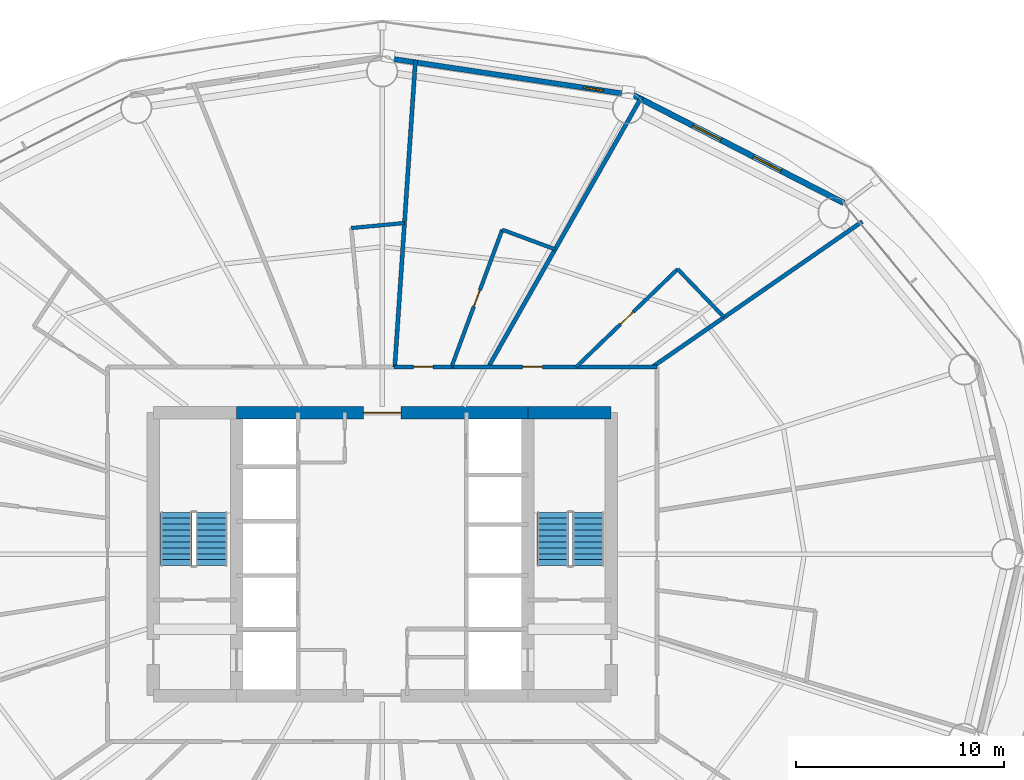
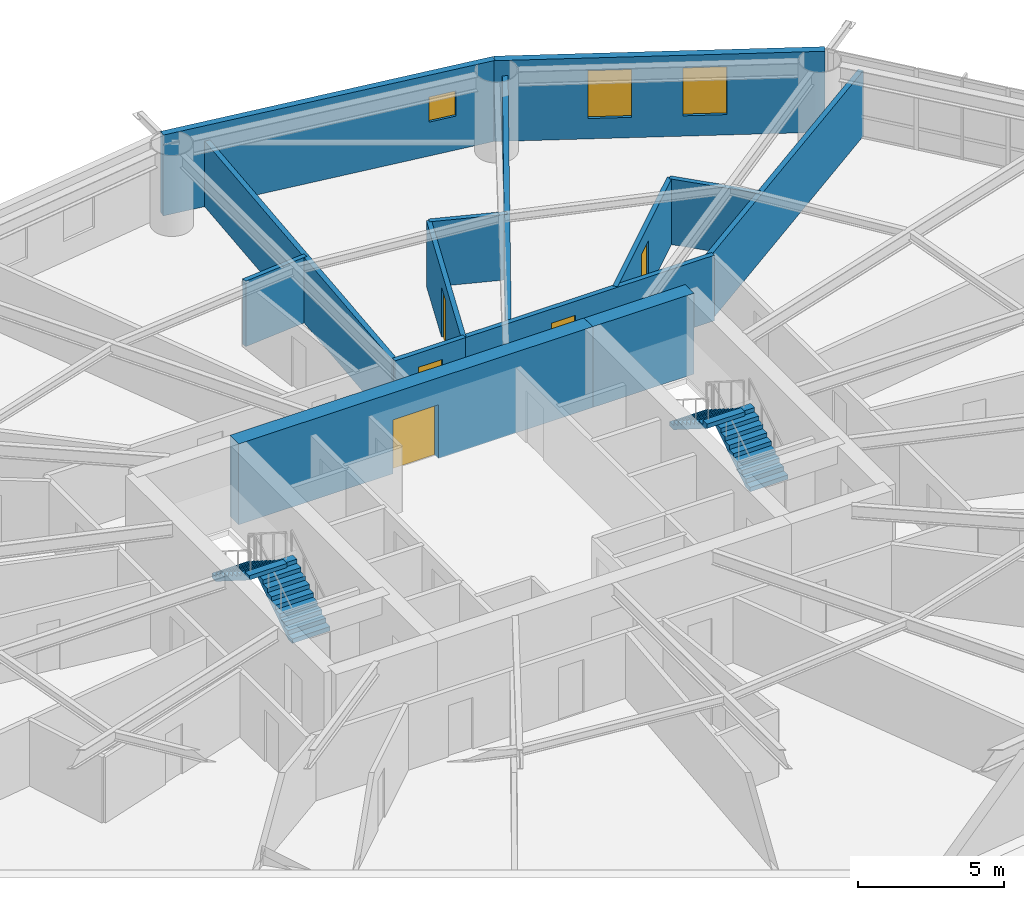
# One storey, part 25 of 28: 14 walls, 5 doors, 4 stair flights, 3 windows, 8 openings, 2 elements without a shape of their own.
"""IFC4 building model written with IfcOpenShell, lengths in metres."""

from ifc_helpers import new_model, si_unit, direction, frame, frame_2d, origin, place, context, subcontext, project, spatial, polyline, rectangle, outline, extrude, material, layer, layer_set, type_object, element, fill, aggregate, save


model = new_model("IFC4")

# Units and contexts
model_context = context("Model", 3, precision=1e-05, world=origin(), true_north=direction((0.0, 1.0)))
body_context = subcontext(model_context, "Body", "Model", "MODEL_VIEW")
ifc_project = project(units=[si_unit("LENGTHUNIT", "METRE"), si_unit("AREAUNIT", "SQUARE_METRE"), si_unit("VOLUMEUNIT", "CUBIC_METRE"), si_unit("PLANEANGLEUNIT", "RADIAN"), si_unit("MASSUNIT", "GRAM", prefix="KILO")], contexts=[model_context])

# Site, building, storey
site_placement = place(None, origin())
site = spatial("IfcSite", under=ifc_project, at=site_placement, CompositionType="ELEMENT")
building_placement = place(site_placement, origin())
building = spatial("IfcBuilding", under=site, at=building_placement, Name="Sarneth Arch Tower", CompositionType="ELEMENT")
storey_placement = place(building_placement, frame((0.0, 0.0, 67.800048828125)))
storey = spatial("IfcBuildingStorey", under=building, at=storey_placement, Name="L16", CompositionType="ELEMENT", Elevation=67.800048828125)

# Wall, opening, door
ifc_material_1 = material(Name="Concrete C60/75", Category="concrete")
ifc_layer_1 = layer(ifc_material_1, 0.60009765625)
ifc_layer_set_1 = layer_set([ifc_layer_1], Name="Concrete C60/75")
wall_type_1 = type_object("IfcWallType", Name="WALL-CORE-600", PredefinedType="SHEAR", material=ifc_layer_set_1)
wall_1_placement = place(storey_placement, frame((41.0, 48.800048828125, 0.0), z_axis=(0.0, 0.0, 1.0), x_axis=(1.0, 0.0, 0.0)))
wall_1 = element("IfcWall", 1, at=wall_1_placement, inside=storey, type_object=wall_type_1, Name="L16 Core shear wall N-M", PredefinedType="SHEAR", context=body_context, shape_type="SweptSolid", body=[
    extrude(rectangle(XDim=14.0, YDim=0.60009765625, at=frame_2d((7.0, 0.0))), origin(), (0.0, 0.0, 1.0), 3.3798828125),
])
opening_1_placement = place(wall_1_placement, frame((6.10009765625, 0.0, 0.0)))
opening_1 = element("IfcOpeningElement", 2, at=opening_1_placement, cuts=wall_1, Name="Opening FD-01", PredefinedType="OPENING", context=body_context, shape_type="SweptSolid", body=[
    extrude(rectangle(XDim=1.800048828125, YDim=2.25, at=frame_2d((0.89990234375, 1.125))), frame((0.0, 0.31005859375, 0.0), z_axis=(0.0, -1.0, 0.0), x_axis=(1.0, 0.0, 0.0)), (0.0, 0.0, 1.0), 0.6201171875),
])
ifc_material_2 = material(Name="Galvanised Steel S275 fire door set", Category="steel")
door_type_1 = type_object("IfcDoorType", Name="DR-FD90-1800", OperationType="DOUBLE_DOOR_SINGLE_SWING", PredefinedType="DOOR", material=ifc_material_2)
door_1_placement = place(opening_1_placement, origin())
door_1 = element("IfcDoor", 3, at=door_1_placement, inside=storey, type_object=door_type_1, Name="L16 Central lift lobby north door", OperationType="DOUBLE_DOOR_SINGLE_SWING", OverallHeight=2.25, OverallWidth=1.800048828125, PredefinedType="DOOR", context=body_context, shape_type="SweptSolid", body=[
    extrude(rectangle(XDim=1.800048828125, YDim=2.25, at=frame_2d((0.89990234375, 1.125))), frame((0.0, 0.02490234375, 0.0), z_axis=(0.0, -1.0, 0.0), x_axis=(1.0, 0.0, 0.0)), (0.0, 0.0, 1.0), 0.050048828125),
])
fill(opening_1, door_1)

# Wall
wall_2_placement = place(storey_placement, frame((55.0, 48.800048828125, 0.0), z_axis=(0.0, 0.0, 1.0), x_axis=(1.0, 0.0, 0.0)))
element("IfcWall", 4, at=wall_2_placement, inside=storey, type_object=wall_type_1, Name="L16 Core shear wall N-E", PredefinedType="SHEAR", context=body_context, shape_type="SweptSolid", body=[
    extrude(rectangle(XDim=4.0, YDim=0.60009765625, at=frame_2d((2.0, 0.0))), origin(), (0.0, 0.0, 1.0), 3.3798828125),
])

# Wall, opening, door
ifc_material_3 = material(Name="Double steel-stud corridor fire wall", Category="steel")
ifc_layer_2 = layer(ifc_material_3, 0.18994140625)
ifc_layer_set_2 = layer_set([ifc_layer_2], Name="Double steel-stud corridor fire wall")
wall_type_2 = type_object("IfcWallType", Name="WALL-CORR-190", PredefinedType="PARTITIONING", material=ifc_layer_set_2)
wall_3_placement = place(storey_placement, frame((51.297607421875, 51.0, 0.0), z_axis=(0.0, 0.0, 1.0), x_axis=(1.0, 0.0, 0.0)))
wall_3 = element("IfcWall", 5, at=wall_3_placement, inside=storey, type_object=wall_type_2, Name="L16 Interior partition W-L16-TP-003", PredefinedType="PARTITIONING", context=body_context, shape_type="SweptSolid", body=[
    extrude(rectangle(XDim=9.90234375, YDim=0.18994140625, at=frame_2d((4.951171875, 0.0))), origin(), (0.0, 0.0, 1.0), 2.739990234375),
])
opening_2_placement = place(wall_3_placement, frame((3.449951171875, 0.0, 0.0)))
opening_2 = element("IfcOpeningElement", 6, at=opening_2_placement, cuts=wall_3, Name="Opening FD-09", PredefinedType="OPENING", context=body_context, shape_type="SweptSolid", body=[
    extrude(rectangle(XDim=0.949951171875, YDim=2.14990234375, at=frame_2d((0.47509765625, 1.074951171875))), frame((0.0, 0.10498046875, 0.0), z_axis=(0.0, -1.0, 0.0), x_axis=(1.0, 0.0, 0.0)), (0.0, 0.0, 1.0), 0.2099609375),
])
ifc_material_4 = material(Name="Hardwood timber hotel entrance fire door", Category="wood")
door_type_2 = type_object("IfcDoorType", Name="DR-FD60-950", OperationType="SINGLE_SWING_RIGHT", PredefinedType="DOOR", material=ifc_material_4)
door_2_placement = place(opening_2_placement, origin())
door_2 = element("IfcDoor", 7, at=door_2_placement, inside=storey, type_object=door_type_2, Name="L16 Interior door DR-L16-KEY-02", OperationType="SINGLE_SWING_LEFT", OverallHeight=2.14990234375, OverallWidth=0.949951171875, PredefinedType="DOOR", context=body_context, shape_type="SweptSolid", body=[
    extrude(rectangle(XDim=0.949951171875, YDim=2.14990234375, at=frame_2d((0.47509765625, 1.074951171875))), frame((0.0, 0.02490234375, 0.0), z_axis=(0.0, -1.0, 0.0), x_axis=(1.0, 0.0, 0.0)), (0.0, 0.0, 1.0), 0.050048828125),
])
fill(opening_2, door_2)

wall_4_placement = place(storey_placement, frame((48.57470703125, 51.0, 0.0), z_axis=(0.0, 0.0, 1.0), x_axis=(1.0, 0.0, 0.0)))
wall_4 = element("IfcWall", 8, at=wall_4_placement, inside=storey, type_object=wall_type_2, Name="L16 Interior partition W-L16-TP-005", PredefinedType="PARTITIONING", context=body_context, shape_type="SweptSolid", body=[
    extrude(rectangle(XDim=2.791259765625, YDim=0.18994140625, at=frame_2d((1.3955078125, 0.0))), origin(), (0.0, 0.0, 1.0), 2.739990234375),
])
opening_3_placement = place(wall_4_placement, frame((0.920654296875, 0.0, 0.0)))
opening_3 = element("IfcOpeningElement", 9, at=opening_3_placement, cuts=wall_4, Name="Opening FD-09", PredefinedType="OPENING", context=body_context, shape_type="SweptSolid", body=[
    extrude(rectangle(XDim=0.949951171875, YDim=2.14990234375, at=frame_2d((0.47509765625, 1.074951171875))), frame((0.0, 0.10498046875, 0.0), z_axis=(0.0, -1.0, 0.0), x_axis=(1.0, 0.0, 0.0)), (0.0, 0.0, 1.0), 0.2099609375),
])
door_3_placement = place(opening_3_placement, origin())
door_3 = element("IfcDoor", 10, at=door_3_placement, inside=storey, type_object=door_type_2, Name="L16 Interior door DR-L16-KEY-03", OperationType="SINGLE_SWING_LEFT", OverallHeight=2.14990234375, OverallWidth=0.949951171875, PredefinedType="DOOR", context=body_context, shape_type="SweptSolid", body=[
    extrude(rectangle(XDim=0.949951171875, YDim=2.14990234375, at=frame_2d((0.47509765625, 1.074951171875))), frame((0.0, 0.02490234375, 0.0), z_axis=(0.0, -1.0, 0.0), x_axis=(1.0, 0.0, 0.0)), (0.0, 0.0, 1.0), 0.050048828125),
])
fill(opening_3, door_3)

# Wall, opening, window
ifc_material_5 = material(Name="Extruded terracotta rainscreen on Concrete C40/50 backing", Category="masonry")
ifc_layer_3 = layer(ifc_material_5, 0.25)
ifc_layer_set_3 = layer_set([ifc_layer_3], Name="Extruded terracotta rainscreen on Concrete C40/50 backing")
wall_type_3 = type_object("IfcWallType", Name="WALL-EXT-SPAND-250", PredefinedType="SOLIDWALL", material=ifc_layer_set_3)
wall_5_placement = place(storey_placement, frame((60.077880859375, 64.062255859375, 0.0), z_axis=(0.0, 0.0, 1.0), x_axis=(-0.988864835849, 0.148816452121, 0.0)))
wall_5 = element("IfcWall", 11, at=wall_5_placement, inside=storey, type_object=wall_type_3, Name="L16 Terracotta perimeter wall 04", PredefinedType="SOLIDWALL", context=body_context, shape_type="SweptSolid", body=[
    extrude(rectangle(XDim=12.2138671875, YDim=0.25, at=frame_2d((6.10693359375, 0.0))), origin(), (0.0, 0.0, 1.0), 3.3798828125),
])
opening_4_placement = place(wall_5_placement, frame((1.439453125, 0.0, 1.419921875)))
opening_4 = element("IfcOpeningElement", 12, at=opening_4_placement, cuts=wall_5, Name="Opening W-14", PredefinedType="OPENING", context=body_context, shape_type="SweptSolid", body=[
    extrude(rectangle(XDim=1.0, YDim=1.050048828125, at=frame_2d((0.5, 0.52490234375))), frame((0.0, 0.135009765625, 0.0), z_axis=(0.0, -1.0, 0.0), x_axis=(1.0, 0.0, 0.0)), (0.0, 0.0, 1.0), 0.27001953125),
])
ifc_material_6 = material(Name="Thermally broken Aluminium 6063-T6 and low-e laminated IGU", Category="aluminium")
window_type_1 = type_object("IfcWindowType", Name="WIN-TWR-1000x1050", PartitioningType="SINGLE_PANEL", PredefinedType="WINDOW", material=ifc_material_6)
window_1_placement = place(opening_4_placement, origin())
window_1 = element("IfcWindow", 13, at=window_1_placement, inside=storey, type_object=window_type_1, Name="L16 Dwelling bedroom window 01", OverallHeight=1.050048828125, OverallWidth=1.0, PartitioningType="SINGLE_PANEL", PredefinedType="WINDOW", context=body_context, shape_type="SweptSolid", body=[
    extrude(rectangle(XDim=1.0, YDim=1.050048828125, at=frame_2d((0.5, 0.52490234375))), frame((0.0, 0.030029296875, 0.0), z_axis=(0.0, -1.0, 0.0), x_axis=(1.0, 0.0, 0.0)), (0.0, 0.0, 1.0), 0.06005859375),
])
fill(opening_4, window_1)

# Wall, openings, windows
ifc_material_7 = material(Name="Extruded terracotta rainscreen on Concrete C40/50 backing", Category="masonry")
ifc_layer_4 = layer(ifc_material_7, 0.280029296875)
ifc_layer_set_4 = layer_set([ifc_layer_4], Name="Extruded terracotta rainscreen on Concrete C40/50 backing")
wall_type_4 = type_object("IfcWallType", Name="WALL-EXT-TERRA-280", PredefinedType="SOLIDWALL", material=ifc_layer_set_4)
wall_6_placement = place(storey_placement, frame((70.174072265625, 58.8857421875, 0.0), z_axis=(0.0, 0.0, 1.0), x_axis=(-0.889853976658, 0.456245438581, 0.0)))
wall_6 = element("IfcWall", 14, at=wall_6_placement, inside=storey, type_object=wall_type_4, Name="L16 Terracotta perimeter wall 03", PredefinedType="SOLIDWALL", context=body_context, shape_type="SweptSolid", body=[
    extrude(rectangle(XDim=11.345947265625, YDim=0.280029296875, at=frame_2d((5.6728515625, 0.0))), origin(), (0.0, 0.0, 1.0), 3.3798828125),
])
opening_5_placement = place(wall_6_placement, frame((3.3671875, 0.0, 0.85009765625)))
opening_5 = element("IfcOpeningElement", 15, at=opening_5_placement, cuts=wall_6, Name="Opening W-06", PredefinedType="OPENING", context=body_context, shape_type="SweptSolid", body=[
    extrude(rectangle(XDim=1.5, YDim=2.0, at=frame_2d((0.75, 1.0))), frame((0.0, 0.14990234375, 0.0), z_axis=(0.0, -1.0, 0.0), x_axis=(1.0, 0.0, 0.0)), (0.0, 0.0, 1.0), 0.300048828125),
])
opening_6_placement = place(wall_6_placement, frame((6.62890625, 0.0, 0.85009765625)))
opening_6 = element("IfcOpeningElement", 16, at=opening_6_placement, cuts=wall_6, Name="Opening W-06", PredefinedType="OPENING", context=body_context, shape_type="SweptSolid", body=[
    extrude(rectangle(XDim=1.5, YDim=2.0, at=frame_2d((0.75, 1.0))), frame((0.0, 0.14990234375, 0.0), z_axis=(0.0, -1.0, 0.0), x_axis=(1.0, 0.0, 0.0)), (0.0, 0.0, 1.0), 0.300048828125),
])
ifc_material_8 = material(Name="Thermally broken Aluminium 6063-T6 and low-e laminated IGU", Category="aluminium")
window_type_2 = type_object("IfcWindowType", Name="WIN-TWR-1500x2000", PartitioningType="SINGLE_PANEL", PredefinedType="WINDOW", material=ifc_material_8)
window_2_placement = place(opening_5_placement, origin())
window_2 = element("IfcWindow", 17, at=window_2_placement, inside=storey, type_object=window_type_2, Name="L16 Exterior window 03A", OverallHeight=2.0, OverallWidth=1.5, PartitioningType="SINGLE_PANEL", PredefinedType="WINDOW", context=body_context, shape_type="SweptSolid", body=[
    extrude(rectangle(XDim=1.5, YDim=2.0, at=frame_2d((0.75, 1.0))), frame((0.0, 0.030029296875, 0.0), z_axis=(0.0, -1.0, 0.0), x_axis=(1.0, 0.0, 0.0)), (0.0, 0.0, 1.0), 0.06005859375),
])
fill(opening_5, window_2)
window_3_placement = place(opening_6_placement, origin())
window_3 = element("IfcWindow", 18, at=window_3_placement, inside=storey, type_object=window_type_2, Name="L16 Exterior window 03B", OverallHeight=2.0, OverallWidth=1.5, PartitioningType="SINGLE_PANEL", PredefinedType="WINDOW", context=body_context, shape_type="SweptSolid", body=[
    extrude(rectangle(XDim=1.5, YDim=2.0, at=frame_2d((0.75, 1.0))), frame((0.0, 0.030029296875, 0.0), z_axis=(0.0, -1.0, 0.0), x_axis=(1.0, 0.0, 0.0)), (0.0, 0.0, 1.0), 0.06005859375),
])
fill(opening_6, window_3)

# Wall, opening, door
ifc_material_9 = material(Name="Moisture-resistant plumbing chase wall", Category="gypsum")
ifc_layer_5 = layer(ifc_material_9, 0.179931640625)
ifc_layer_set_5 = layer_set([ifc_layer_5], Name="Moisture-resistant plumbing chase wall")
wall_type_5 = type_object("IfcWallType", Name="WALL-PLUMB-180", PredefinedType="PLUMBINGWALL", material=ifc_layer_set_5)
wall_7_placement = place(storey_placement, frame((53.77294921875, 57.59423828125, 0.0), z_axis=(0.0, 0.0, 1.0), x_axis=(-0.347170736851, -0.93780194043, 0.0)))
wall_7 = element("IfcWall", 19, at=wall_7_placement, inside=storey, type_object=wall_type_5, Name="L16 Interior partition W-L16-TP-037", PredefinedType="PLUMBINGWALL", context=body_context, shape_type="SweptSolid", body=[
    extrude(rectangle(XDim=7.031494140625, YDim=0.179931640625, at=frame_2d((3.515625, 0.0))), origin(), (0.0, 0.0, 1.0), 2.739990234375),
])
opening_7_placement = place(wall_7_placement, frame((3.0908203125, 0.0, 0.0)))
opening_7 = element("IfcOpeningElement", 20, at=opening_7_placement, cuts=wall_7, Name="Opening ID-02", PredefinedType="OPENING", context=body_context, shape_type="SweptSolid", body=[
    extrude(rectangle(XDim=0.85009765625, YDim=2.10009765625, at=frame_2d((0.425048828125, 1.050048828125))), frame((0.0, 0.099853515625, 0.0), z_axis=(0.0, -1.0, 0.0), x_axis=(1.0, 0.0, 0.0)), (0.0, 0.0, 1.0), 0.199951171875),
])
ifc_material_10 = material(Name="Moisture-resistant bathroom timber door", Category="wood")
door_type_3 = type_object("IfcDoorType", Name="DR-INT-850", OperationType="SINGLE_SWING_RIGHT", PredefinedType="DOOR", material=ifc_material_10)
door_4_placement = place(opening_7_placement, origin())
door_4 = element("IfcDoor", 21, at=door_4_placement, inside=storey, type_object=door_type_3, Name="L16 Interior door DR-L16-ENS-03", OperationType="SINGLE_SWING_RIGHT", OverallHeight=2.10009765625, OverallWidth=0.85009765625, PredefinedType="DOOR", context=body_context, shape_type="SweptSolid", body=[
    extrude(rectangle(XDim=0.85009765625, YDim=2.10009765625, at=frame_2d((0.425048828125, 1.050048828125))), frame((0.0, 0.02490234375, 0.0), z_axis=(0.0, -1.0, 0.0), x_axis=(1.0, 0.0, 0.0)), (0.0, 0.0, 1.0), 0.050048828125),
])
fill(opening_7, door_4)

wall_8_placement = place(storey_placement, frame((62.201904296875, 55.701171875, 0.0), z_axis=(0.0, 0.0, 1.0), x_axis=(-0.719667322044, -0.69431905172, 0.0)))
wall_8 = element("IfcWall", 22, at=wall_8_placement, inside=storey, type_object=wall_type_5, Name="L16 Interior partition W-L16-TP-033", PredefinedType="PLUMBINGWALL", context=body_context, shape_type="SweptSolid", body=[
    extrude(rectangle(XDim=6.77099609375, YDim=0.179931640625, at=frame_2d((3.385498046875, 0.0))), origin(), (0.0, 0.0, 1.0), 2.739990234375),
])
opening_8_placement = place(wall_8_placement, frame((2.96044921875, 0.0, 0.0)))
opening_8 = element("IfcOpeningElement", 23, at=opening_8_placement, cuts=wall_8, Name="Opening ID-02", PredefinedType="OPENING", context=body_context, shape_type="SweptSolid", body=[
    extrude(rectangle(XDim=0.85009765625, YDim=2.10009765625, at=frame_2d((0.425048828125, 1.050048828125))), frame((0.0, 0.099853515625, 0.0), z_axis=(0.0, -1.0, 0.0), x_axis=(1.0, 0.0, 0.0)), (0.0, 0.0, 1.0), 0.199951171875),
])
door_5_placement = place(opening_8_placement, origin())
door_5 = element("IfcDoor", 24, at=door_5_placement, inside=storey, type_object=door_type_3, Name="L16 Interior door DR-L16-ENS-02", OperationType="SINGLE_SWING_RIGHT", OverallHeight=2.10009765625, OverallWidth=0.85009765625, PredefinedType="DOOR", context=body_context, shape_type="SweptSolid", body=[
    extrude(rectangle(XDim=0.85009765625, YDim=2.10009765625, at=frame_2d((0.425048828125, 1.050048828125))), frame((0.0, 0.02490234375, 0.0), z_axis=(0.0, -1.0, 0.0), x_axis=(1.0, 0.0, 0.0)), (0.0, 0.0, 1.0), 0.050048828125),
])
fill(opening_8, door_5)

# Walls
wall_9_placement = place(storey_placement, frame((64.43505859375, 53.38623046875, 0.0), z_axis=(0.0, 0.0, 1.0), x_axis=(-0.694278833189, 0.719706121821, 0.0)))
element("IfcWall", 25, at=wall_9_placement, inside=storey, type_object=wall_type_5, Name="L16 Interior partition W-L16-TP-032", PredefinedType="PLUMBINGWALL", context=body_context, shape_type="SweptSolid", body=[
    extrude(rectangle(XDim=3.216552734375, YDim=0.179931640625, at=frame_2d((1.6083984375, 0.0))), origin(), (0.0, 0.0, 1.0), 2.739990234375),
])
wall_10_placement = place(storey_placement, frame((56.314697265625, 56.6533203125, 0.0), z_axis=(0.0, 0.0, 1.0), x_axis=(-0.937805250992, 0.347161793999, 0.0)))
element("IfcWall", 26, at=wall_10_placement, inside=storey, type_object=wall_type_5, Name="L16 Interior partition W-L16-TP-036", PredefinedType="PLUMBINGWALL", context=body_context, shape_type="SweptSolid", body=[
    extrude(rectangle(XDim=2.710205078125, YDim=0.179931640625, at=frame_2d((1.35498046875, 0.0))), origin(), (0.0, 0.0, 1.0), 2.739990234375),
])
wall_11_placement = place(storey_placement, frame((49.072998046875, 57.915283203125, 0.0), z_axis=(0.0, 0.0, 1.0), x_axis=(-0.995563205557, -0.09409518447, 0.0)))
element("IfcWall", 27, at=wall_11_placement, inside=storey, type_object=wall_type_5, Name="L16 Interior partition W-L16-TP-040", PredefinedType="PLUMBINGWALL", context=body_context, shape_type="SweptSolid", body=[
    extrude(rectangle(XDim=2.566162109375, YDim=0.179931640625, at=frame_2d((1.283203125, 0.0))), origin(), (0.0, 0.0, 1.0), 2.739990234375),
])
ifc_material_11 = material(Name="Double steel-stud acoustic drywall", Category="steel")
ifc_layer_6 = layer(ifc_material_11, 0.199951171875)
ifc_layer_set_6 = layer_set([ifc_layer_6], Name="Double steel-stud acoustic drywall")
wall_type_6 = type_object("IfcWallType", Name="WALL-UNIT-200", PredefinedType="PARTITIONING", material=ifc_layer_set_6)
wall_12_placement = place(storey_placement, frame((53.106689453125, 51.0, 0.0), z_axis=(0.0, 0.0, 1.0), x_axis=(0.493512300658, 0.869738816599, 0.0)))
element("IfcWall", 28, at=wall_12_placement, inside=storey, type_object=wall_type_6, Name="L16 Interior partition W-L16-TP-034", PredefinedType="PARTITIONING", context=body_context, shape_type="SweptSolid", body=[
    extrude(rectangle(XDim=14.9375, YDim=0.199951171875, at=frame_2d((7.46875, 0.0))), origin(), (0.0, 0.0, 1.0), 2.739990234375),
])
wall_13_placement = place(storey_placement, frame((60.99072265625, 51.0, 0.0), z_axis=(0.0, 0.0, 1.0), x_axis=(0.821999402566, 0.569488351226, 0.0)))
element("IfcWall", 29, at=wall_13_placement, inside=storey, type_object=wall_type_6, Name="L16 Interior partition W-L16-TP-029", PredefinedType="PARTITIONING", context=body_context, shape_type="SweptSolid", body=[
    extrude(rectangle(XDim=12.266357421875, YDim=0.199951171875, at=frame_2d((6.13330078125, 0.0))), origin(), (0.0, 0.0, 1.0), 2.739990234375),
])
wall_14_placement = place(storey_placement, frame((48.606689453125, 51.0, 0.0), z_axis=(0.0, 0.0, 1.0), x_axis=(0.067284649742, 0.997733820169, 0.0)))
element("IfcWall", 30, at=wall_14_placement, inside=storey, type_object=wall_type_6, Name="L16 Interior partition W-L16-TP-038", PredefinedType="PARTITIONING", context=body_context, shape_type="SweptSolid", body=[
    extrude(rectangle(XDim=14.793212890625, YDim=0.199951171875, at=frame_2d((7.396484375, 0.0))), origin(), (0.0, 0.0, 1.0), 2.739990234375),
])

# Stair, stair flights
ifc_material_12 = material(Name="Concrete C50/60", Category="concrete")
stair_type = type_object("IfcStairType", Name="STAIR-CORE-RC", PredefinedType="HALF_TURN_STAIR", material=ifc_material_12)
stair_1_placement = place(storey_placement, origin())
stair_1 = element("IfcStair", 31, at=stair_1_placement, inside=storey, type_object=stair_type, Name="L16 Core Exit Stair 1", PredefinedType="HALF_TURN_STAIR")
ifc_material_13 = material(Name="Concrete C50/60", Category="concrete")
stair_flight_type = type_object("IfcStairFlightType", Name="FLIGHT-RC-1500", PredefinedType="STRAIGHT", material=ifc_material_13)
stair_flight_1_placement = place(storey_placement, frame((39.800048828125, 41.449951171875, 0.0), z_axis=(0.0, 0.0, 1.0), x_axis=(0.0, 1.0, 0.0)))
stair_flight_1 = element("IfcStairFlight", 32, at=stair_flight_1_placement, type_object=stair_flight_type, Name="ST-1 flight 1", NumberOfRisers=10, NumberOfTreads=9, PredefinedType="STRAIGHT", RiserHeight=0.18, TreadLength=0.285, context=body_context, shape_type="SweptSolid", body=[
    extrude(outline(polyline([(0.0, 0.0), (0.0, 0.179931640625), (0.284912109375, 0.179931640625), (0.284912109375, 0.360107421875), (0.570068359375, 0.360107421875), (0.570068359375, 0.5400390625), (0.85498046875, 0.5400390625), (0.85498046875, 0.719970703125), (1.139892578125, 0.719970703125), (1.139892578125, 0.89990234375), (1.425048828125, 0.89990234375), (1.425048828125, 1.080078125), (1.7099609375, 1.080078125), (1.7099609375, 1.260009765625), (1.9951171875, 1.260009765625), (1.9951171875, 1.43994140625), (2.280029296875, 1.43994140625), (2.280029296875, 1.6201171875), (2.56494140625, 1.6201171875), (2.56494140625, 1.800048828125), (2.56494140625, 1.442626953125), (0.28076171875, 0.0), (0.0, 0.0)])), frame((0.0, 0.75, 0.0), z_axis=(0.0, -1.0, 0.0), x_axis=(1.0, 0.0, 0.0)), (0.0, 0.0, 1.0), 1.5),
])
stair_flight_2_placement = place(storey_placement, frame((38.10009765625, 44.014892578125, 1.800048828125), z_axis=(0.0, 0.0, 1.0), x_axis=(0.0, -1.0, 0.0)))
stair_flight_2 = element("IfcStairFlight", 33, at=stair_flight_2_placement, type_object=stair_flight_type, Name="ST-1 flight 2", NumberOfRisers=10, NumberOfTreads=9, PredefinedType="STRAIGHT", RiserHeight=0.18, TreadLength=0.285, context=body_context, shape_type="SweptSolid", body=[
    extrude(outline(polyline([(0.0, 0.0), (0.0, 0.179931640625), (0.284912109375, 0.179931640625), (0.284912109375, 0.360107421875), (0.570068359375, 0.360107421875), (0.570068359375, 0.5400390625), (0.85498046875, 0.5400390625), (0.85498046875, 0.719970703125), (1.139892578125, 0.719970703125), (1.139892578125, 0.89990234375), (1.425048828125, 0.89990234375), (1.425048828125, 1.080078125), (1.7099609375, 1.080078125), (1.7099609375, 1.260009765625), (1.9951171875, 1.260009765625), (1.9951171875, 1.43994140625), (2.280029296875, 1.43994140625), (2.280029296875, 1.6201171875), (2.56494140625, 1.6201171875), (2.56494140625, 1.800048828125), (2.56494140625, 1.442626953125), (0.28076171875, 0.0), (0.0, 0.0)])), frame((0.0, 0.75, 0.0), z_axis=(0.0, -1.0, 0.0), x_axis=(1.0, 0.0, 0.0)), (0.0, 0.0, 1.0), 1.5),
])
aggregate(stair_1, [stair_flight_1, stair_flight_2])

stair_2_placement = place(storey_placement, origin())
stair_2 = element("IfcStair", 34, at=stair_2_placement, inside=storey, type_object=stair_type, Name="L16 Core Exit Stair 2", PredefinedType="HALF_TURN_STAIR")
stair_flight_3_placement = place(storey_placement, frame((57.89990234375, 41.449951171875, 0.0), z_axis=(0.0, 0.0, 1.0), x_axis=(0.0, 1.0, 0.0)))
stair_flight_3 = element("IfcStairFlight", 35, at=stair_flight_3_placement, type_object=stair_flight_type, Name="ST-2 flight 1", NumberOfRisers=10, NumberOfTreads=9, PredefinedType="STRAIGHT", RiserHeight=0.18, TreadLength=0.285, context=body_context, shape_type="SweptSolid", body=[
    extrude(outline(polyline([(0.0, 0.0), (0.0, 0.179931640625), (0.284912109375, 0.179931640625), (0.284912109375, 0.360107421875), (0.570068359375, 0.360107421875), (0.570068359375, 0.5400390625), (0.85498046875, 0.5400390625), (0.85498046875, 0.719970703125), (1.139892578125, 0.719970703125), (1.139892578125, 0.89990234375), (1.425048828125, 0.89990234375), (1.425048828125, 1.080078125), (1.7099609375, 1.080078125), (1.7099609375, 1.260009765625), (1.9951171875, 1.260009765625), (1.9951171875, 1.43994140625), (2.280029296875, 1.43994140625), (2.280029296875, 1.6201171875), (2.56494140625, 1.6201171875), (2.56494140625, 1.800048828125), (2.56494140625, 1.442626953125), (0.28076171875, 0.0), (0.0, 0.0)])), frame((0.0, 0.75, 0.0), z_axis=(0.0, -1.0, 0.0), x_axis=(1.0, 0.0, 0.0)), (0.0, 0.0, 1.0), 1.5),
])
stair_flight_4_placement = place(storey_placement, frame((56.199951171875, 44.014892578125, 1.800048828125), z_axis=(0.0, 0.0, 1.0), x_axis=(0.0, -1.0, 0.0)))
stair_flight_4 = element("IfcStairFlight", 36, at=stair_flight_4_placement, type_object=stair_flight_type, Name="ST-2 flight 2", NumberOfRisers=10, NumberOfTreads=9, PredefinedType="STRAIGHT", RiserHeight=0.18, TreadLength=0.285, context=body_context, shape_type="SweptSolid", body=[
    extrude(outline(polyline([(0.0, 0.0), (0.0, 0.179931640625), (0.284912109375, 0.179931640625), (0.284912109375, 0.360107421875), (0.570068359375, 0.360107421875), (0.570068359375, 0.5400390625), (0.85498046875, 0.5400390625), (0.85498046875, 0.719970703125), (1.139892578125, 0.719970703125), (1.139892578125, 0.89990234375), (1.425048828125, 0.89990234375), (1.425048828125, 1.080078125), (1.7099609375, 1.080078125), (1.7099609375, 1.260009765625), (1.9951171875, 1.260009765625), (1.9951171875, 1.43994140625), (2.280029296875, 1.43994140625), (2.280029296875, 1.6201171875), (2.56494140625, 1.6201171875), (2.56494140625, 1.800048828125), (2.56494140625, 1.442626953125), (0.28076171875, 0.0), (0.0, 0.0)])), frame((0.0, 0.75, 0.0), z_axis=(0.0, -1.0, 0.0), x_axis=(1.0, 0.0, 0.0)), (0.0, 0.0, 1.0), 1.5),
])
aggregate(stair_2, [stair_flight_3, stair_flight_4])

save(model, "model.ifc")
